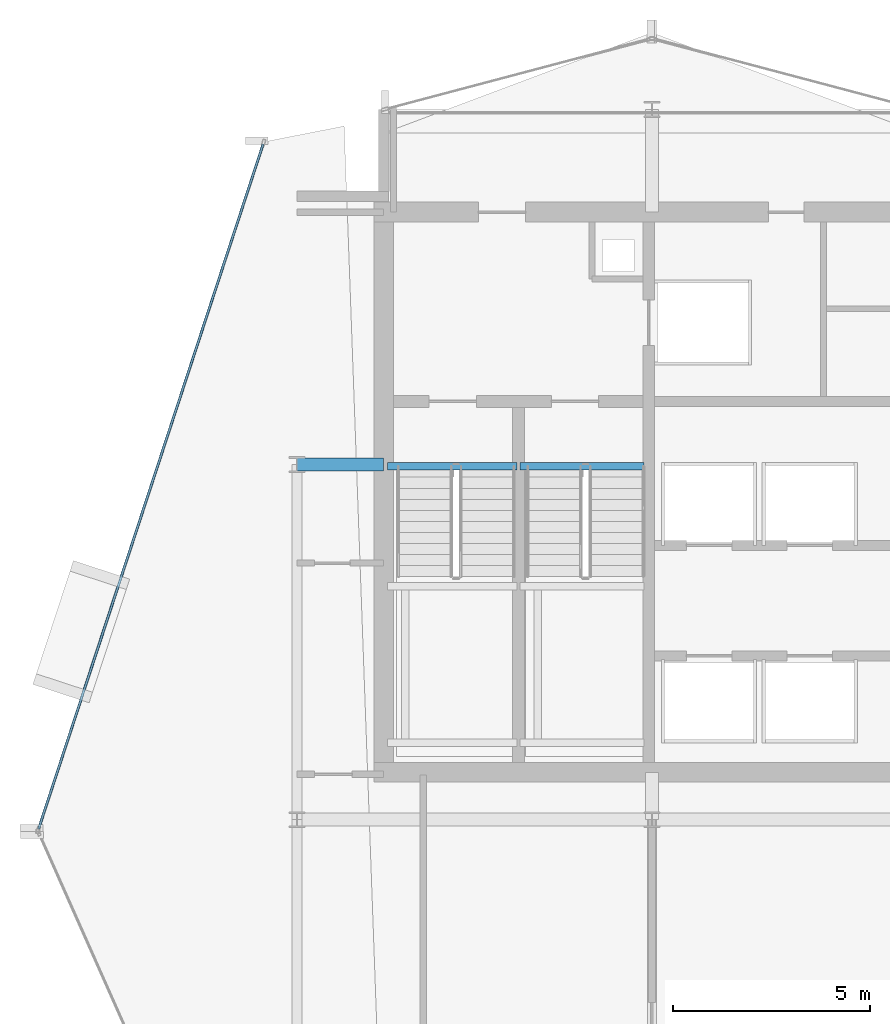
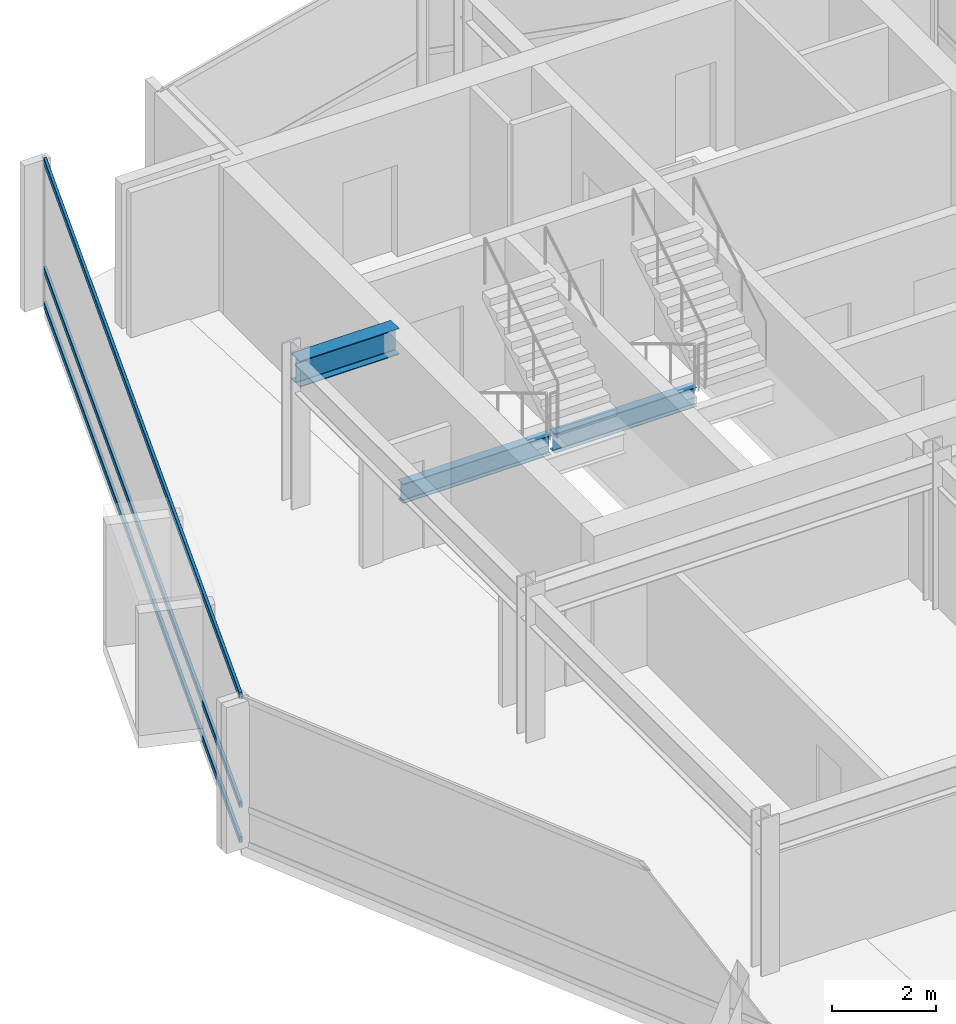
# One storey, part 15 of 28: 3 beams, 3 members, 1 element without a shape of its own.
"""IFC4 building model written with IfcOpenShell, lengths in metres."""

from ifc_helpers import new_model, si_unit, direction, frame, origin, origin_2d, place, context, subcontext, project, spatial, hollow_rectangle, i_section, extrude, material, layer, layer_set, material_profile, profile_set, type_object, element, aggregate, save


model = new_model("IFC4")

# Units and contexts
model_context = context("Model", 3, precision=1e-05, world=origin(), true_north=direction((0.0, 1.0)))
body_context = subcontext(model_context, "Body", "Model", "MODEL_VIEW")
ifc_project = project(units=[si_unit("LENGTHUNIT", "METRE"), si_unit("AREAUNIT", "SQUARE_METRE"), si_unit("VOLUMEUNIT", "CUBIC_METRE"), si_unit("PLANEANGLEUNIT", "RADIAN"), si_unit("MASSUNIT", "GRAM", prefix="KILO")], contexts=[model_context])

# Site, building, storey
site_placement = place(None, origin())
site = spatial("IfcSite", under=ifc_project, at=site_placement, CompositionType="ELEMENT")
building_placement = place(site_placement, origin())
building = spatial("IfcBuilding", under=site, at=building_placement, Name="Solvaryn Broadcast Tower", CompositionType="ELEMENT")
storey_placement = place(building_placement, frame((0.0, 0.0, 206.199951171875)))
storey = spatial("IfcBuildingStorey", under=building, at=storey_placement, Name="L51", CompositionType="ELEMENT", Elevation=206.199951171875)

# Beams
ifc_material_1 = material(Name="Steel ASTM A992 Grade 50", Category="steel")
ifc_material_profile_1 = material_profile(ifc_material_1, i_section(OverallWidth=0.323974609375, OverallDepth=0.611083984375, WebThickness=0.0126953125, FlangeThickness=0.01904296875, FilletRadius=0.014892578125, at=origin_2d()))
ifc_profile_set_1 = profile_set([ifc_material_profile_1], Name="Steel ASTM A992 Grade 50")
beam_type_1 = type_object("IfcBeamType", Name="BM-B1-W24X104", PredefinedType="BEAM", material=ifc_profile_set_1)
beam_1_placement = place(storey_placement, frame((9.0, 36.0, 3.114501953125), z_axis=(1.0, 0.0, 0.0), x_axis=(0.0, 1.0, 0.0)))
element("IfcBeam", 1, at=beam_1_placement, inside=storey, type_object=beam_type_1, Name="L51 Core Tie Beam CTW1", PredefinedType="BEAM", context=body_context, shape_type="SweptSolid", body=[
    extrude(i_section(OverallWidth=0.323974609375, OverallDepth=0.611083984375, WebThickness=0.0126953125, FlangeThickness=0.01904296875, FilletRadius=0.014892578125, at=origin_2d()), origin(), (0.0, 0.0, 1.0), 2.199951171875),
])
ifc_material_2 = material(Name="Steel ASTM A992 Grade 50", Category="steel")
ifc_material_profile_2 = material_profile(ifc_material_2, i_section(OverallWidth=0.18994140625, OverallDepth=0.45703125, WebThickness=0.009033203125, FlangeThickness=0.014404296875, FilletRadius=0.011962890625, at=origin_2d()))
ifc_profile_set_2 = profile_set([ifc_material_profile_2], Name="Steel ASTM A992 Grade 50")
beam_type_2 = type_object("IfcBeamType", Name="BM-B4-W18X50", PredefinedType="BEAM", material=ifc_profile_set_2)
beam_2_placement = place(storey_placement, frame((11.300048828125, 35.9599609375, -0.508544921875), z_axis=(1.0, 0.0, 0.0), x_axis=(0.0, 1.0, 0.0)))
element("IfcBeam", 2, at=beam_2_placement, inside=storey, type_object=beam_type_2, Name="L51 ST1 Stair Well Trimmer Beam", PredefinedType="BEAM", context=body_context, shape_type="SweptSolid", body=[
    extrude(i_section(OverallWidth=0.18994140625, OverallDepth=0.45703125, WebThickness=0.009033203125, FlangeThickness=0.014404296875, FilletRadius=0.011962890625, at=origin_2d()), origin(), (0.0, 0.0, 1.0), 3.280029296875),
])
beam_3_placement = place(storey_placement, frame((14.659912109375, 35.9599609375, -0.508544921875), z_axis=(1.0, 0.0, 0.0), x_axis=(0.0, 1.0, 0.0)))
element("IfcBeam", 3, at=beam_3_placement, inside=storey, type_object=beam_type_2, Name="L51 ST2 Stair Well Trimmer Beam", PredefinedType="BEAM", context=body_context, shape_type="SweptSolid", body=[
    extrude(i_section(OverallWidth=0.18994140625, OverallDepth=0.45703125, WebThickness=0.009033203125, FlangeThickness=0.014404296875, FilletRadius=0.011962890625, at=origin_2d()), origin(), (0.0, 0.0, 1.0), 3.14013671875),
])

# Curtain wall, members
ifc_material_3 = material(Name="Aluminium and Terracotta Unitised Curtain Wall", Category="masonry")
ifc_layer = layer(ifc_material_3, 0.199951171875)
ifc_layer_set = layer_set([ifc_layer], Name="CW-SYS2-LOWMID")
curtain_wall_type = type_object("IfcCurtainWallType", Name="CW-SYS2-LOWMID", PredefinedType="NOTDEFINED", material=ifc_layer_set)
curtain_wall_placement = place(storey_placement, origin())
curtain_wall = element("IfcCurtainWall", 4, at=curtain_wall_placement, inside=storey, type_object=curtain_wall_type, Name="L51 Curtain Wall DR1", PredefinedType="NOTDEFINED")
ifc_material_4 = material(Name="Anodised Aluminium 6063-T6", Category="aluminium")
ifc_material_profile_3 = material_profile(ifc_material_4, hollow_rectangle(XDim=0.06494140625, YDim=0.14990234375, WallThickness=0.00390625, InnerFilletRadius=0.00390625, OuterFilletRadius=0.008056640625, at=origin_2d()))
ifc_profile_set_3 = profile_set([ifc_material_profile_3], Name="Anodised Aluminium 6063-T6")
member_type = type_object("IfcMemberType", Name="CW-TRN-150", PredefinedType="USERDEFINED", material=ifc_profile_set_3)
member_1_placement = place(storey_placement, frame((8.144287109375, 44.125, 0.030029296875), z_axis=(-0.311557987209, -0.950227141586, 0.0), x_axis=(0.950227141586, -0.311557987209, 0.0)))
member_1 = element("IfcMember", 5, at=member_1_placement, type_object=member_type, Name="CWS2 transom 1.1", ObjectType="TRANSOM", PredefinedType="USERDEFINED", context=body_context, shape_type="SweptSolid", body=[
    extrude(hollow_rectangle(XDim=0.06494140625, YDim=0.14990234375, WallThickness=0.00390625, InnerFilletRadius=0.00390625, OuterFilletRadius=0.008056640625, at=origin_2d()), origin(), (0.0, 0.0, 1.0), 18.271484375),
])
member_2_placement = place(storey_placement, frame((8.144287109375, 44.125, 0.85009765625), z_axis=(-0.311557987209, -0.950227141586, 0.0), x_axis=(0.950227141586, -0.311557987209, 0.0)))
member_2 = element("IfcMember", 6, at=member_2_placement, type_object=member_type, Name="CWS2 transom 1.2", ObjectType="TRANSOM", PredefinedType="USERDEFINED", context=body_context, shape_type="SweptSolid", body=[
    extrude(hollow_rectangle(XDim=0.06494140625, YDim=0.14990234375, WallThickness=0.00390625, InnerFilletRadius=0.00390625, OuterFilletRadius=0.008056640625, at=origin_2d()), origin(), (0.0, 0.0, 1.0), 18.271484375),
])
member_3_placement = place(storey_placement, frame((8.144287109375, 44.125, 3.39013671875), z_axis=(-0.311557987209, -0.950227141586, 0.0), x_axis=(0.950227141586, -0.311557987209, 0.0)))
member_3 = element("IfcMember", 7, at=member_3_placement, type_object=member_type, Name="CWS2 transom 1.3", ObjectType="TRANSOM", PredefinedType="USERDEFINED", context=body_context, shape_type="SweptSolid", body=[
    extrude(hollow_rectangle(XDim=0.06494140625, YDim=0.14990234375, WallThickness=0.00390625, InnerFilletRadius=0.00390625, OuterFilletRadius=0.008056640625, at=origin_2d()), origin(), (0.0, 0.0, 1.0), 18.271484375),
])
aggregate(curtain_wall, [member_1, member_2, member_3])

save(model, "model.ifc")
